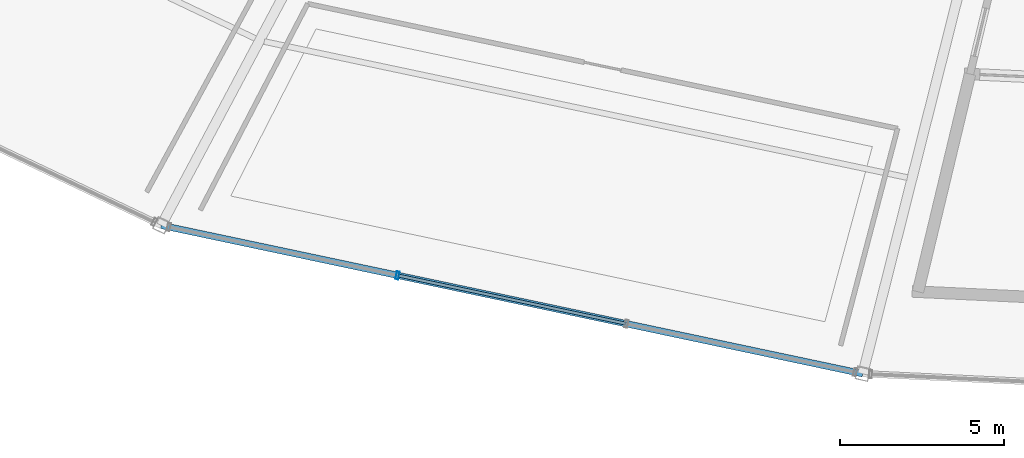
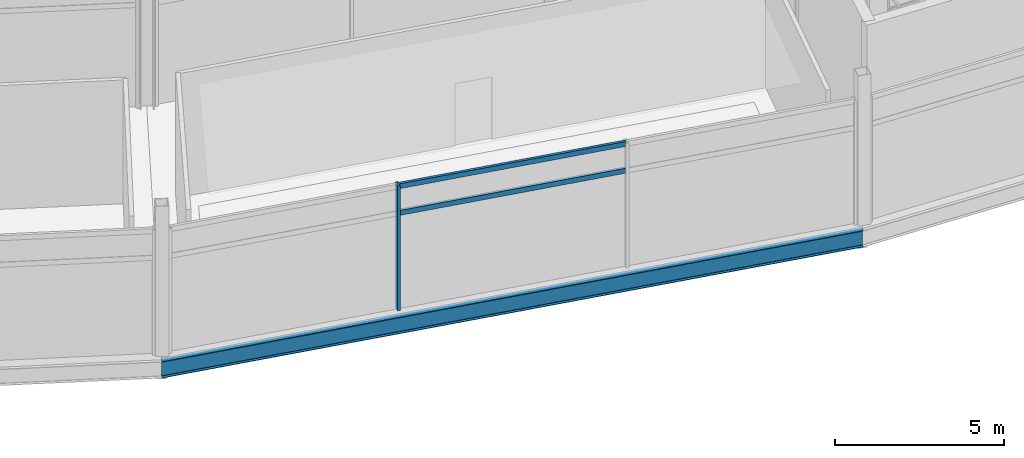
# One storey, part 17 of 86: 3 members, 1 beam, 1 element without a shape of its own.
"""IFC4 building model written with IfcOpenShell, lengths in metres."""

from ifc_helpers import new_model, si_unit, direction, frame, origin, origin_2d, place, context, subcontext, project, spatial, hollow_rectangle, i_section, extrude, material, layer, layer_set, material_profile, profile_set, type_object, element, aggregate, save


model = new_model("IFC4")

# Units and contexts
model_context = context("Model", 3, precision=1e-05, world=origin(), true_north=direction((0.0, 1.0)))
body_context = subcontext(model_context, "Body", "Model", "MODEL_VIEW")
ifc_project = project(units=[si_unit("LENGTHUNIT", "METRE"), si_unit("AREAUNIT", "SQUARE_METRE"), si_unit("VOLUMEUNIT", "CUBIC_METRE"), si_unit("PLANEANGLEUNIT", "RADIAN"), si_unit("MASSUNIT", "GRAM", prefix="KILO")], contexts=[model_context])

# Site, building, storey
site_placement = place(None, origin())
site = spatial("IfcSite", under=ifc_project, at=site_placement, CompositionType="ELEMENT")
building_placement = place(site_placement, origin())
building = spatial("IfcBuilding", under=site, at=building_placement, Name="Kazemori Nagisa Stadium", CompositionType="ELEMENT")
storey_placement = place(building_placement, frame((0.0, 0.0, 31.280029296875)))
storey = spatial("IfcBuildingStorey", under=building, at=storey_placement, Name="L06", CompositionType="ELEMENT", Elevation=31.280029296875)

# Beam
ifc_material_1 = material(Name="Steel SN490B", Category="steel")
ifc_material_profile_1 = material_profile(ifc_material_1, i_section(OverallWidth=0.199951171875, OverallDepth=0.60009765625, WebThickness=0.010986328125, FlangeThickness=0.01708984375, FilletRadius=0.012939453125, at=origin_2d()), Name="H-600x200x11x17")
ifc_profile_set_1 = profile_set([ifc_material_profile_1], Name="Steel SN490B")
beam_type = type_object("IfcBeamType", Name="Beam_BS-H600", PredefinedType="SPANDREL", material=ifc_profile_set_1)
beam_placement = place(storey_placement, frame((80.1953125, 21.53564453125, -0.56005859375), z_axis=(0.97834587432, -0.206976689994, 0.0), x_axis=(0.206976689994, 0.97834587432, 0.0)))
element("IfcBeam", 1, at=beam_placement, inside=storey, type_object=beam_type, Name="Ring girder BS-H600 L06 R3-20", PredefinedType="SPANDREL", context=body_context, shape_type="SweptSolid", body=[
    extrude(i_section(OverallWidth=0.199951171875, OverallDepth=0.60009765625, WebThickness=0.010986328125, FlangeThickness=0.01708984375, FilletRadius=0.012939453125, at=origin_2d()), origin(), (0.0, 0.0, 1.0), 21.85009765625),
])

# Curtain wall, members
ifc_material_2 = material(Name="Anodised aluminium 6063-T5", Category="aluminium")
ifc_layer = layer(ifc_material_2, 0.239990234375, Name="Anodised aluminium 6063-T5", Category="aluminium")
ifc_layer_set = layer_set([ifc_layer], Name="Anodised aluminium 6063-T5")
curtain_wall_type = type_object("IfcCurtainWallType", Name="CW_L06R3_107", PredefinedType="USERDEFINED", material=ifc_layer_set)
curtain_wall_placement = place(storey_placement, origin())
curtain_wall = element("IfcCurtainWall", 2, at=curtain_wall_placement, inside=storey, type_object=curtain_wall_type, Name="Unitised curtain wall CW-L06R3-107 L06", ObjectType="UNITISED CURTAIN WALL", PredefinedType="USERDEFINED")
ifc_material_3 = material(Name="Aluminium 6063-T5 anodised", Category="aluminium")
ifc_material_profile_2 = material_profile(ifc_material_3, hollow_rectangle(XDim=0.090087890625, YDim=0.239990234375, WallThickness=0.0048828125, at=origin_2d()), Name="ALU-MULL-90x240x5")
ifc_profile_set_2 = profile_set([ifc_material_profile_2], Name="Aluminium 6063-T5 anodised")
member_type_1 = type_object("IfcMemberType", Name="Mullion_M03", PredefinedType="MULLION", material=ifc_profile_set_2)
member_1_placement = place(storey_placement, frame((87.397705078125, 20.011962890625, 0.0), z_axis=(0.0, 0.0, 1.0), x_axis=(0.978344955407, -0.206981033502, 0.0)))
member_1 = element("IfcMember", 3, at=member_1_placement, type_object=member_type_1, Name="Curtain wall mullion CW-L06R3-107-M2", PredefinedType="MULLION", context=body_context, shape_type="SweptSolid", body=[
    extrude(hollow_rectangle(XDim=0.090087890625, YDim=0.239990234375, WallThickness=0.0048828125, at=origin_2d()), origin(), (0.0, 0.0, 1.0), 4.510009765625),
])
ifc_material_profile_3 = material_profile(ifc_material_3, hollow_rectangle(XDim=0.090087890625, YDim=0.179931640625, WallThickness=0.0048828125, at=origin_2d()), Name="ALU-TRAN-90x180x5")
ifc_profile_set_3 = profile_set([ifc_material_profile_3], Name="Aluminium 6063-T5 anodised")
member_type_2 = type_object("IfcMemberType", Name="Transom_T03", PredefinedType="USERDEFINED", material=ifc_profile_set_3)
member_2_placement = place(storey_placement, frame((87.417236328125, 20.0078125, 3.47265625), z_axis=(0.978344605267, -0.206982688515, 0.0), x_axis=(0.206982688515, 0.978344605267, 0.0)))
member_2 = element("IfcMember", 4, at=member_2_placement, type_object=member_type_2, Name="Curtain wall transom CW-L06R3-107-T2-mid", ObjectType="TRANSOM", PredefinedType="USERDEFINED", context=body_context, shape_type="SweptSolid", body=[
    extrude(hollow_rectangle(XDim=0.090087890625, YDim=0.179931640625, WallThickness=0.0048828125, at=origin_2d()), origin(), (0.0, 0.0, 1.0), 7.086669921875),
])
member_3_placement = place(storey_placement, frame((87.417236328125, 20.0078125, 4.43994140625), z_axis=(0.978344605267, -0.206982688515, 0.0), x_axis=(0.206982688515, 0.978344605267, 0.0)))
member_3 = element("IfcMember", 5, at=member_3_placement, type_object=member_type_2, Name="Curtain wall transom CW-L06R3-107-T2-head", ObjectType="TRANSOM", PredefinedType="USERDEFINED", context=body_context, shape_type="SweptSolid", body=[
    extrude(hollow_rectangle(XDim=0.090087890625, YDim=0.179931640625, WallThickness=0.0048828125, at=origin_2d()), origin(), (0.0, 0.0, 1.0), 7.086669921875),
])
aggregate(curtain_wall, [member_1, member_2, member_3])

save(model, "model.ifc")
